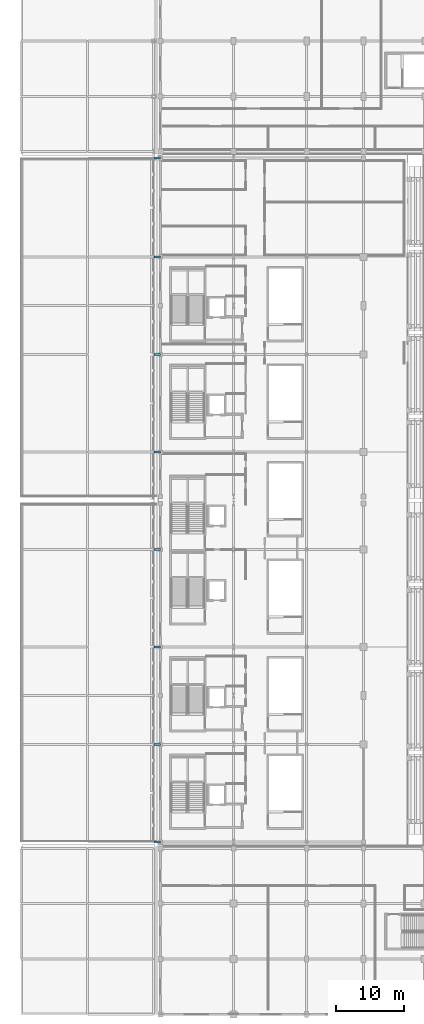
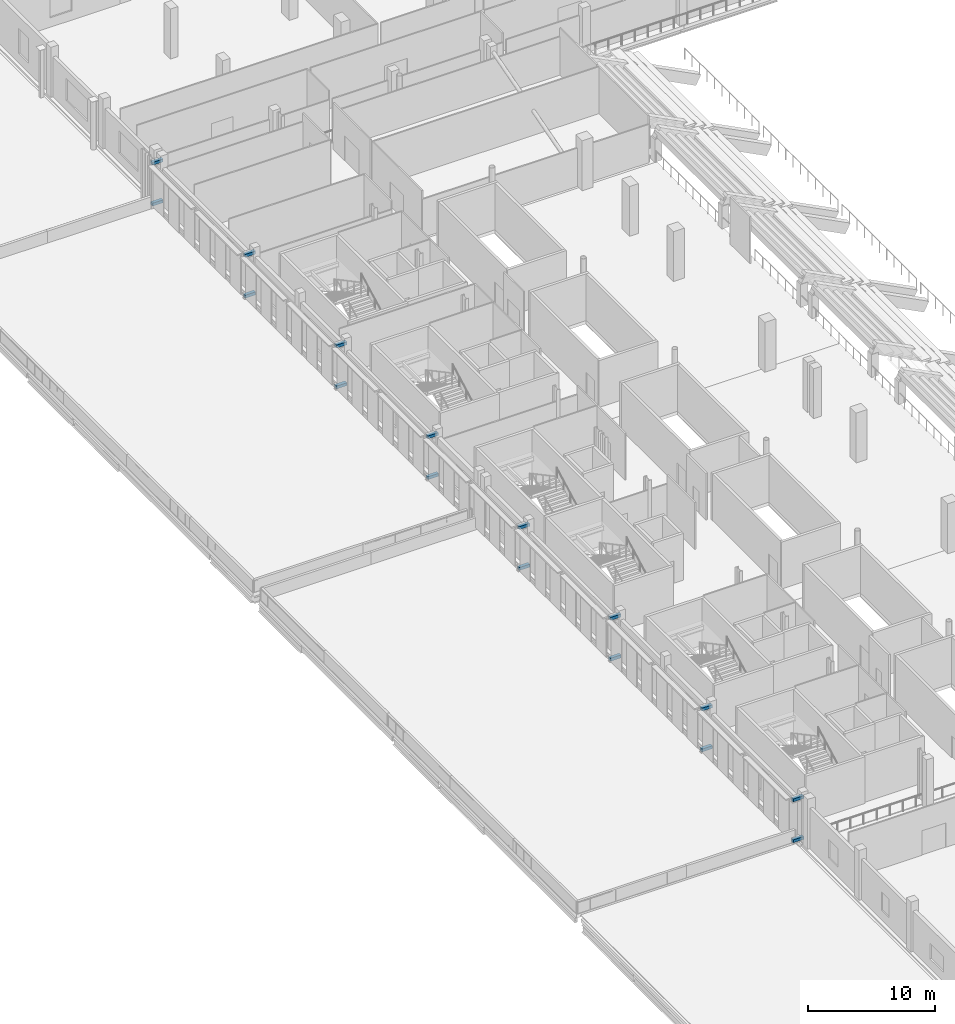
# One storey, part 47 of 74: 16 discrete accessories.
"""IFC4 building model written with IfcOpenShell, lengths in metres."""

from ifc_helpers import new_model, si_unit, direction, frame, origin, origin_2d, place, context, subcontext, project, spatial, rectangle, extrude, material, type_object, element, save


model = new_model("IFC4")

# Units and contexts
model_context = context("Model", 3, precision=1e-05, world=origin(), true_north=direction((0.0, 1.0)))
body_context = subcontext(model_context, "Body", "Model", "MODEL_VIEW")
ifc_project = project(units=[si_unit("LENGTHUNIT", "METRE"), si_unit("AREAUNIT", "SQUARE_METRE"), si_unit("VOLUMEUNIT", "CUBIC_METRE"), si_unit("PLANEANGLEUNIT", "RADIAN"), si_unit("MASSUNIT", "GRAM", prefix="KILO")], contexts=[model_context])

# Site, building, storey
site_placement = place(None, origin())
site = spatial("IfcSite", under=ifc_project, at=site_placement, CompositionType="ELEMENT")
building_placement = place(site_placement, origin())
building = spatial("IfcBuilding", under=site, at=building_placement, Name="Koshinbarg Plaza Stadium", CompositionType="ELEMENT")
storey_placement = place(building_placement, frame((0.0, 0.0, 15.0)))
storey = spatial("IfcBuildingStorey", under=building, at=storey_placement, Name="L03", CompositionType="ELEMENT", Elevation=15.0)

# Discrete accessories
ifc_material = material(Name="Galvanized steel facade support bracket", Category="steel")
discrete_accessory_type = type_object("IfcDiscreteAccessoryType", Name="ACC-BRACKET-01", PredefinedType="BRACKET", material=ifc_material)
for number, where, z_axis, x_axis, name in (
    (1, (24.1201171875, 25.5, 0.10986328125), (0.0, 0.0, 1.0), (1.0, 0.0, 0.0), "Outer screen support bracket W-L03-Y01"),
    (2, (24.1201171875, 25.5, 4.0400390625), (0.0, 0.0, 1.0), (1.0, 0.0, 0.0), "Outer screen support bracket W-L03-Y01"),
    (3, (24.1201171875, 39.89990234375, 0.10986328125), (0.0, 0.0, 1.0), (1.0, 0.0, 0.0), "Outer screen support bracket W-L03-Y02"),
    (4, (24.1201171875, 39.89990234375, 4.0400390625), (0.0, 0.0, 1.0), (1.0, 0.0, 0.0), "Outer screen support bracket W-L03-Y02"),
    (5, (24.1201171875, 54.300048828125, 0.10986328125), (0.0, 0.0, 1.0), (1.0, 0.0, 0.0), "Outer screen support bracket W-L03-Y03"),
    (6, (24.1201171875, 54.300048828125, 4.0400390625), (0.0, 0.0, 1.0), (1.0, 0.0, 0.0), "Outer screen support bracket W-L03-Y03"),
    (7, (24.1201171875, 68.699951171875, 0.10986328125), (0.0, 0.0, 1.0), (1.0, 0.0, 0.0), "Outer screen support bracket W-L03-Y04"),
    (8, (24.1201171875, 68.699951171875, 4.0400390625), (0.0, 0.0, 1.0), (1.0, 0.0, 0.0), "Outer screen support bracket W-L03-Y04"),
    (9, (24.1201171875, 83.10009765625, 0.10986328125), (0.0, 0.0, 1.0), (1.0, 0.0, 0.0), "Outer screen support bracket W-L03-Y05"),
    (10, (24.1201171875, 83.10009765625, 4.0400390625), (0.0, 0.0, 1.0), (1.0, 0.0, 0.0), "Outer screen support bracket W-L03-Y05"),
    (11, (24.1201171875, 97.5, 0.10986328125), (0.0, 0.0, 1.0), (1.0, 0.0, 0.0), "Outer screen support bracket W-L03-Y06"),
    (12, (24.1201171875, 97.5, 4.0400390625), (0.0, 0.0, 1.0), (1.0, 0.0, 0.0), "Outer screen support bracket W-L03-Y06"),
    (13, (24.1201171875, 111.89990234375, 0.10986328125), (0.0, 0.0, 1.0), (1.0, 0.0, 0.0), "Outer screen support bracket W-L03-Y07"),
    (14, (24.1201171875, 111.89990234375, 4.0400390625), (0.0, 0.0, 1.0), (1.0, 0.0, 0.0), "Outer screen support bracket W-L03-Y07"),
    (15, (24.1201171875, 126.5, 0.10986328125), (0.0, 0.0, 1.0), (1.0, 0.0, 0.0), "Outer screen support bracket W-L03-Y08"),
    (16, (24.1201171875, 126.5, 4.0400390625), (0.0, 0.0, 1.0), (1.0, 0.0, 0.0), "Outer screen support bracket W-L03-Y08"),
):
    element("IfcDiscreteAccessory", number, at=place(storey_placement, frame(where, z_axis=z_axis, x_axis=x_axis)), inside=storey, type_object=discrete_accessory_type, Name=name, PredefinedType="BRACKET", context=body_context, shape_type="SweptSolid", body=[
        extrude(rectangle(XDim=0.9599609375, YDim=0.300048828125, at=origin_2d()), origin(), (0.0, 0.0, 1.0), 0.280029296875),
    ])

save(model, "model.ifc")
